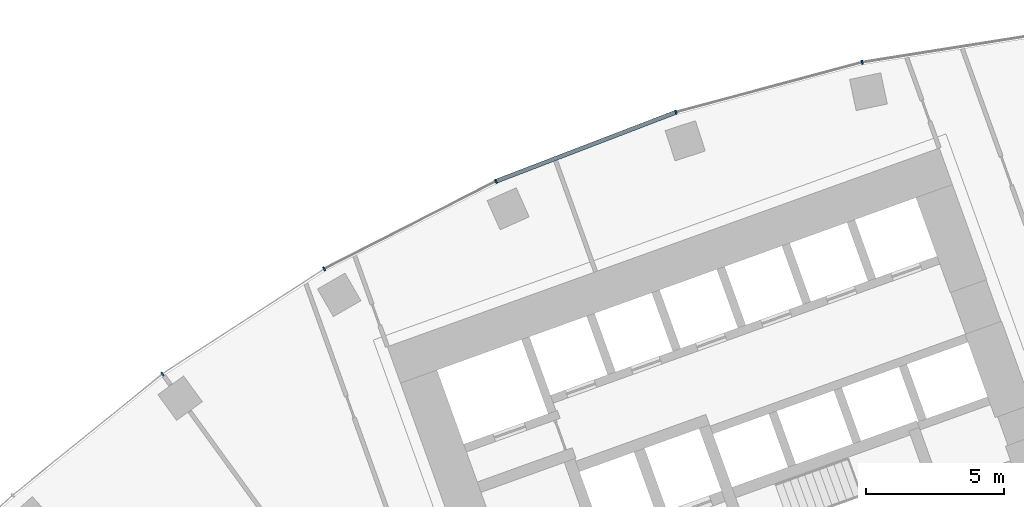
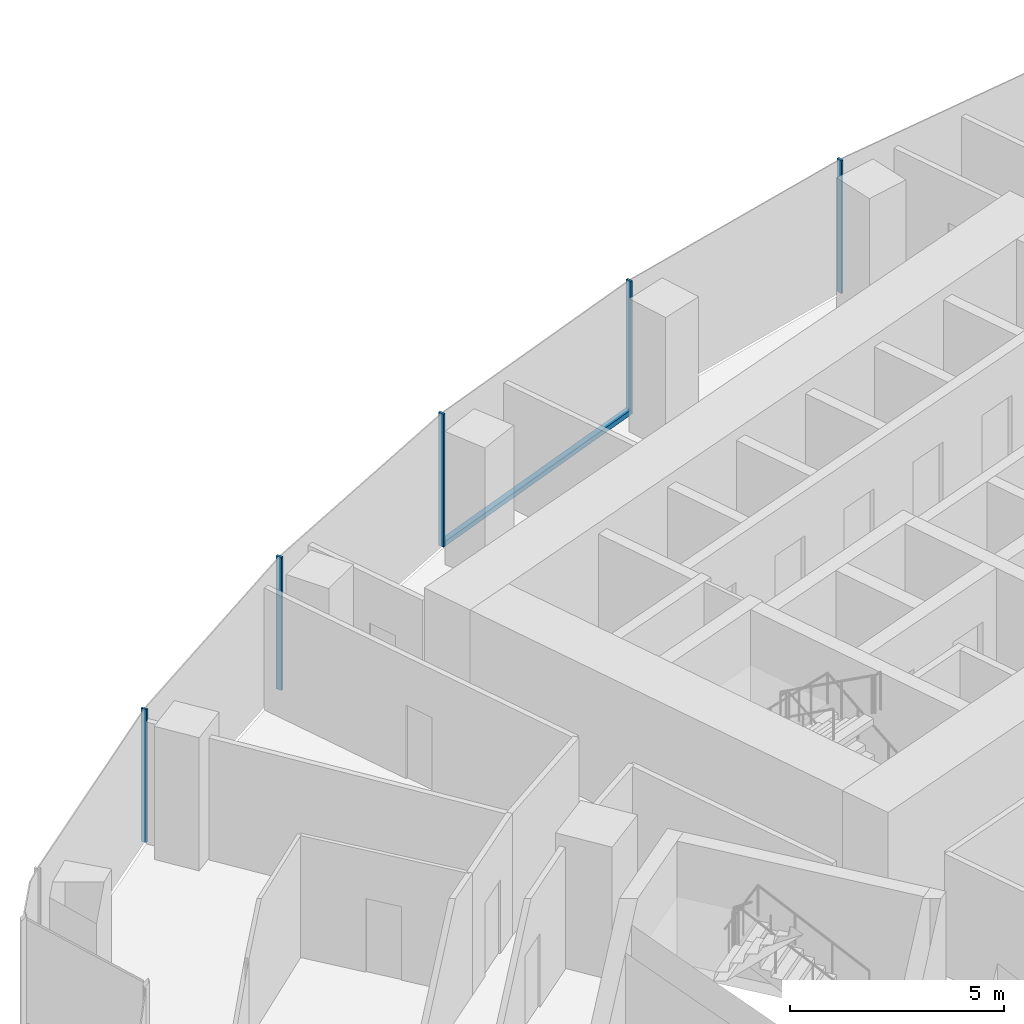
# One storey, part 5 of 20: 6 members, 1 element without a shape of its own.
"""IFC4 building model written with IfcOpenShell, lengths in metres."""

from ifc_helpers import new_model, si_unit, direction, frame, origin, origin_2d, place, context, subcontext, project, spatial, rectangle, extrude, material, layer, layer_set, material_profile, profile_set, type_object, element, aggregate, save


model = new_model("IFC4")

# Units and contexts
model_context = context("Model", 3, precision=1e-05, world=origin(), true_north=direction((0.0, 1.0)))
body_context = subcontext(model_context, "Body", "Model", "MODEL_VIEW")
ifc_project = project(units=[si_unit("LENGTHUNIT", "METRE"), si_unit("AREAUNIT", "SQUARE_METRE"), si_unit("VOLUMEUNIT", "CUBIC_METRE"), si_unit("PLANEANGLEUNIT", "RADIAN"), si_unit("MASSUNIT", "GRAM", prefix="KILO")], contexts=[model_context])

# Site, building, storey
site_placement = place(None, origin())
site = spatial("IfcSite", under=ifc_project, at=site_placement, CompositionType="ELEMENT")
building_placement = place(site_placement, origin())
building = spatial("IfcBuilding", under=site, at=building_placement, Name="Stone Belt Terrace Tower", CompositionType="ELEMENT")
storey_placement = place(building_placement, frame((0.0, 0.0, 106.0)))
storey = spatial("IfcBuildingStorey", under=building, at=storey_placement, Name="L25", CompositionType="ELEMENT", Elevation=106.0)

# Curtain wall, members
ifc_material = material(Name="Aluminium 6063-T6 anodised frame", Category="aluminium")
ifc_layer = layer(ifc_material, 0.14990234375)
ifc_layer_set = layer_set([ifc_layer], Name="CW-A unitised convex-face curtain wall")
curtain_wall_type = type_object("IfcCurtainWallType", Name="CW-A unitised convex-face curtain wall", PredefinedType="NOTDEFINED", material=ifc_layer_set)
curtain_wall_placement = place(storey_placement, origin())
curtain_wall = element("IfcCurtainWall", 1, at=curtain_wall_placement, inside=storey, type_object=curtain_wall_type, Name="CW-A convex face L25", PredefinedType="NOTDEFINED")
ifc_material_profile_1 = material_profile(ifc_material, rectangle(XDim=0.14990234375, YDim=0.06005859375, at=origin_2d()), Name="Aluminium 6063-T6 60x150")
ifc_profile_set_1 = profile_set([ifc_material_profile_1], Name="Aluminium 6063-T6 anodised frame")
member_type_1 = type_object("IfcMemberType", Name="CW-A mullion 60 x 150", PredefinedType="MULLION", material=ifc_profile_set_1)
member_1_placement = place(storey_placement, frame((-13.841796875, 65.120361328125, 0.0), z_axis=(0.0, 0.0, 1.0), x_axis=(0.207911690818, -0.978147600734, 0.0)))
member_1 = element("IfcMember", 2, at=member_1_placement, type_object=member_type_1, Name="CW-A mullion 12", PredefinedType="MULLION", context=body_context, shape_type="SweptSolid", body=[
    extrude(rectangle(XDim=0.14990234375, YDim=0.06005859375, at=origin_2d()), origin(), (0.0, 0.0, 1.0), 3.800048828125),
])
member_2_placement = place(storey_placement, frame((-20.57275390625, 63.316650390625, 0.0), z_axis=(0.0, 0.0, 1.0), x_axis=(0.309016994375, -0.951056516295, 0.0)))
member_2 = element("IfcMember", 3, at=member_2_placement, type_object=member_type_1, Name="CW-A mullion 13", PredefinedType="MULLION", context=body_context, shape_type="SweptSolid", body=[
    extrude(rectangle(XDim=0.14990234375, YDim=0.06005859375, at=origin_2d()), origin(), (0.0, 0.0, 1.0), 3.800048828125),
])
member_3_placement = place(storey_placement, frame((-27.07861328125, 60.8193359375, 0.0), z_axis=(0.0, 0.0, 1.0), x_axis=(0.406736643076, -0.913545457643, 0.0)))
member_3 = element("IfcMember", 4, at=member_3_placement, type_object=member_type_1, Name="CW-A mullion 14", PredefinedType="MULLION", context=body_context, shape_type="SweptSolid", body=[
    extrude(rectangle(XDim=0.14990234375, YDim=0.06005859375, at=origin_2d()), origin(), (0.0, 0.0, 1.0), 3.800048828125),
])
member_4_placement = place(storey_placement, frame((-33.28759765625, 57.65576171875, 0.0), z_axis=(0.0, 0.0, 1.0), x_axis=(0.5, -0.866025403784, 0.0)))
member_4 = element("IfcMember", 5, at=member_4_placement, type_object=member_type_1, Name="CW-A mullion 15", PredefinedType="MULLION", context=body_context, shape_type="SweptSolid", body=[
    extrude(rectangle(XDim=0.14990234375, YDim=0.06005859375, at=origin_2d()), origin(), (0.0, 0.0, 1.0), 3.800048828125),
])
member_5_placement = place(storey_placement, frame((-39.1318359375, 53.8603515625, 0.0), z_axis=(0.0, 0.0, 1.0), x_axis=(0.587785252292, -0.809016994375, 0.0)))
member_5 = element("IfcMember", 6, at=member_5_placement, type_object=member_type_1, Name="CW-A mullion 16", PredefinedType="MULLION", context=body_context, shape_type="SweptSolid", body=[
    extrude(rectangle(XDim=0.14990234375, YDim=0.06005859375, at=origin_2d()), origin(), (0.0, 0.0, 1.0), 3.800048828125),
])
ifc_material_profile_2 = material_profile(ifc_material, rectangle(XDim=0.14990234375, YDim=0.139892578125, at=origin_2d()), Name="Aluminium 6063-T6 150x140")
ifc_profile_set_2 = profile_set([ifc_material_profile_2], Name="Aluminium 6063-T6 anodised frame")
member_type_2 = type_object("IfcMemberType", Name="CW-A transom 140 x 150", PredefinedType="USERDEFINED", material=ifc_profile_set_2)
member_6_placement = place(storey_placement, frame((-20.6044921875, 63.304443359375, 0.070068359375), z_axis=(-0.933585210269, -0.358355487146, 0.0), x_axis=(0.358355487146, -0.933585210269, 0.0)))
member_6 = element("IfcMember", 7, at=member_6_placement, type_object=member_type_2, Name="CW-A transom 13.1", ObjectType="TRANSOM", PredefinedType="USERDEFINED", context=body_context, shape_type="SweptSolid", body=[
    extrude(rectangle(XDim=0.14990234375, YDim=0.139892578125, at=origin_2d()), origin(), (0.0, 0.0, 1.0), 6.900634765625),
])
aggregate(curtain_wall, [member_1, member_2, member_3, member_4, member_5, member_6])

save(model, "model.ifc")
